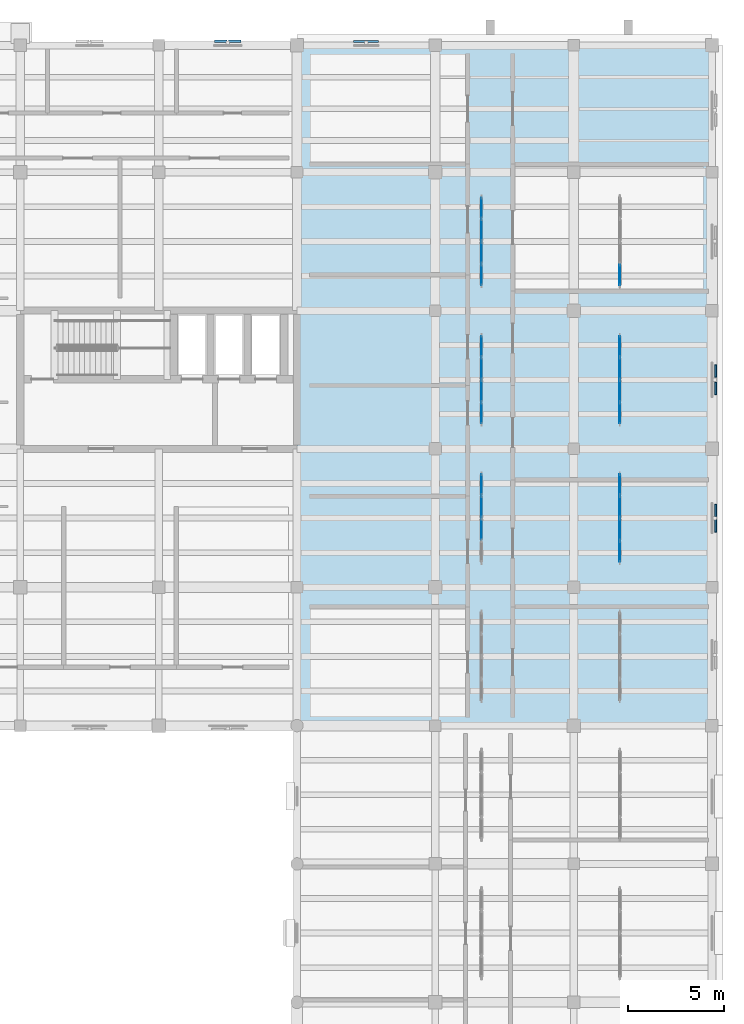
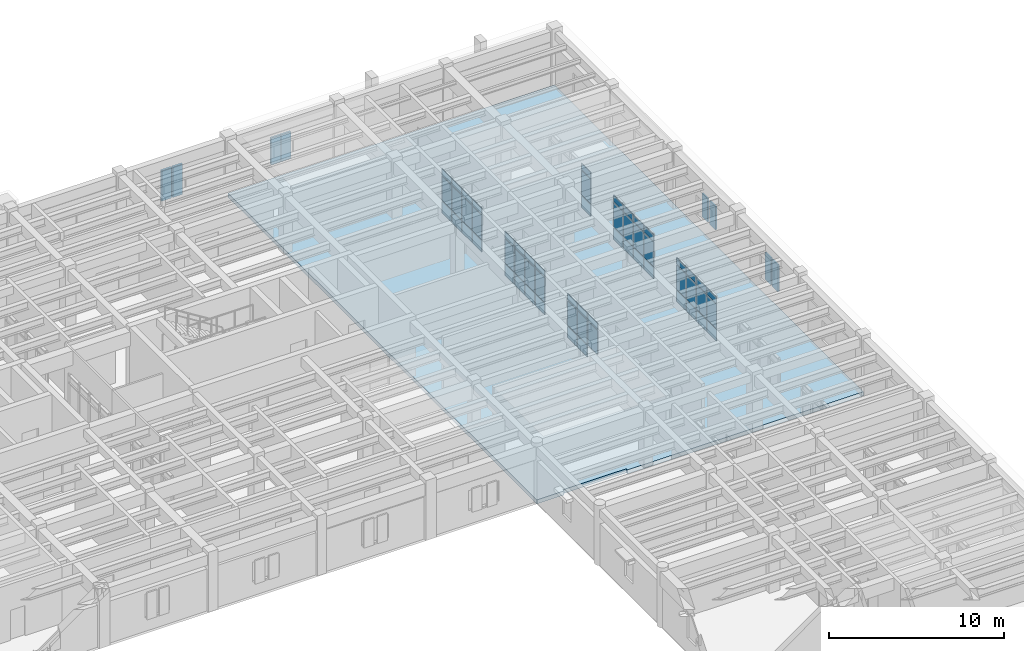
# One storey, part 33 of 66: 67 plates, 1 slab, 6 elements without a shape of their own.
"""IFC4 building model written with IfcOpenShell, lengths in metres."""

import ifcopenshell
import ifcopenshell.guid

model = None  # the IFC model being written
_history = None  # IfcOwnerHistory: only IFC2X3 demands one
_inside = {}  # id of a spatial element -> (the spatial element, [elements in it])
_under = {}  # id of a project, library or spatial element -> (it, [spatial elements below it])
_declared = {}  # id of a project -> (the project, [libraries it declares])
_typed = {}  # id of a type object -> (the type object, [elements of that type])
_made_of = {}  # id of a material, layer set ... -> (it, [elements and type objects made of it])


def new_model(schema):
    """Start an empty IFC model of exactly this schema.

    Asked for "IFC4X3", IfcOpenShell would pick the latest addendum, in which some entities
    have other attributes; the version numbers below select the first issue.
    IFC2X3 requires an IfcOwnerHistory on every rooted entity: one is made here for all.
    """
    global model, _history
    if schema == "IFC4X3":
        model = ifcopenshell.file(schema_version=(4, 3, 0, 0))
    else:
        model = ifcopenshell.file(schema=schema)
    _inside.clear()
    _under.clear()
    _declared.clear()
    _typed.clear()
    _made_of.clear()
    _history = None
    if model.schema == "IFC2X3":
        org = make("IfcOrganization", Name="unknown")
        user = make(
            "IfcPersonAndOrganization",
            ThePerson=make("IfcPerson", FamilyName="unknown"),
            TheOrganization=org,
        )
        app = make(
            "IfcApplication",
            ApplicationDeveloper=org,
            Version="unknown",
            ApplicationFullName="unknown",
            ApplicationIdentifier="unknown",
        )
        _history = make(
            "IfcOwnerHistory",
            OwningUser=user,
            OwningApplication=app,
            ChangeAction="ADDED",
            CreationDate=0,
        )
    return model


def make(cls, **values):
    """One entity of the class cls with the attributes given. An attribute that is None is left unset."""
    return model.create_entity(
        cls, **{name: value for name, value in values.items() if value is not None}
    )


def rooted(cls, **values):
    """An entity with a GlobalId (a new one), such as an element, a storey or a relation."""
    return make(cls, GlobalId=ifcopenshell.guid.new(), OwnerHistory=_history, **values)


def si_unit(unit_type, name, prefix=None):
    """IfcSIUnit, for example si_unit("LENGTHUNIT", "METRE", prefix="MILLI")."""
    return make("IfcSIUnit", UnitType=unit_type, Prefix=prefix, Name=name)


def assignment(units):
    """IfcUnitAssignment: the units of a project."""
    return None if units is None else make("IfcUnitAssignment", Units=units)


def point(xyz):
    """IfcCartesianPoint."""
    return None if xyz is None else make("IfcCartesianPoint", Coordinates=xyz)


def direction(xyz):
    """IfcDirection."""
    return None if xyz is None else make("IfcDirection", DirectionRatios=xyz)


def frame(location, z_axis=None, x_axis=None):
    """IfcAxis2Placement3D, a coordinate frame: its origin and axes. An axis left out is left unset."""
    return make(
        "IfcAxis2Placement3D",
        Location=point(location),
        Axis=direction(z_axis),
        RefDirection=direction(x_axis),
    )


def frame_2d(location, x_axis=None):
    """IfcAxis2Placement2D, a coordinate frame in the plane: its origin and x axis."""
    return make(
        "IfcAxis2Placement2D", Location=point(location), RefDirection=direction(x_axis)
    )


def origin():
    """The frame at (0, 0, 0) with its axes left unset."""
    return frame((0.0, 0.0, 0.0))


def origin_2d():
    """The frame at (0, 0) in the plane with its x axis left unset."""
    return frame_2d((0.0, 0.0))


def place(relative_to, where):
    """IfcLocalPlacement: puts the frame where relative to a parent placement (None: the world)."""
    return make(
        "IfcLocalPlacement", PlacementRelTo=relative_to, RelativePlacement=where
    )


def context(
    kind, dimensions, precision=None, world=None, true_north=None, identifier=None
):
    """IfcGeometricRepresentationContext, for example the 3D "Model" context."""
    return make(
        "IfcGeometricRepresentationContext",
        ContextIdentifier=identifier,
        ContextType=kind,
        CoordinateSpaceDimension=dimensions,
        Precision=precision,
        WorldCoordinateSystem=world,
        TrueNorth=true_north,
    )


def subcontext(parent, identifier, kind, view, scale=None):
    """IfcGeometricRepresentationSubContext, for example "Body" below "Model"."""
    return make(
        "IfcGeometricRepresentationSubContext",
        ContextIdentifier=identifier,
        ContextType=kind,
        ParentContext=parent,
        TargetScale=scale,
        TargetView=view,
    )


def project(units=None, contexts=None):
    """IfcProject with its units and contexts."""
    return rooted(
        "IfcProject",
        Name="project",
        RepresentationContexts=contexts,
        UnitsInContext=assignment(units),
    )


def spatial(cls, under=None, at=None, **own):
    """A site, building, storey or space (cls), placed at a placement, below another one or the project."""
    s = rooted(cls, ObjectPlacement=at, **own)
    if under is not None:
        _under.setdefault(under.id(), (under, []))[1].append(s)
    return s


def polyline(points):
    """IfcPolyline through the points."""
    return make("IfcPolyline", Points=[point(p) for p in points])


def profile(cls, at=None, kind="AREA", **sizes):
    """A parametric profile (cls). Its sizes go by their IFC names, for example OverallWidth=200.0."""
    return make(cls, ProfileType=kind, Position=at, **sizes)


def rectangle(**sizes):
    """IfcRectangleProfileDef."""
    return profile("IfcRectangleProfileDef", **sizes)


def outline(outer, holes=None, kind="AREA"):
    """IfcArbitraryClosedProfileDef: a profile drawn as a closed curve; with holes, ...WithVoids."""
    if holes is None:
        return make("IfcArbitraryClosedProfileDef", ProfileType=kind, OuterCurve=outer)
    return make(
        "IfcArbitraryProfileDefWithVoids",
        ProfileType=kind,
        OuterCurve=outer,
        InnerCurves=holes,
    )


def extrude(swept, where, along, depth):
    """IfcExtrudedAreaSolid: the profile swept, set in the frame where, extruded along a direction by depth."""
    return make(
        "IfcExtrudedAreaSolid",
        SweptArea=swept,
        Position=where,
        ExtrudedDirection=direction(along),
        Depth=depth,
    )


def shape(context_of_items, identifier, shape_type, items):
    """IfcShapeRepresentation: the items that make up one representation, for example the "Body"."""
    return make(
        "IfcShapeRepresentation",
        ContextOfItems=context_of_items,
        RepresentationIdentifier=identifier,
        RepresentationType=shape_type,
        Items=items,
    )


def material(Name=None, Category=None):
    """IfcMaterial."""
    return make("IfcMaterial", Name=Name, Category=Category)


def layer(
    of_material, thickness, ventilated=None, Name=None, Category=None, Priority=None
):
    """IfcMaterialLayer: one layer of a wall or slab, of a material (None: an air gap)."""
    return make(
        "IfcMaterialLayer",
        Material=of_material,
        LayerThickness=thickness,
        IsVentilated=ventilated,
        Name=Name,
        Category=Category,
        Priority=Priority,
    )


def layer_set(layers, Name=None):
    """IfcMaterialLayerSet."""
    return make("IfcMaterialLayerSet", MaterialLayers=layers, LayerSetName=Name)


def made_of(thing, what):
    """Note that an element or type object is made of a material, layer set ...; save() writes the relation."""
    if what is not None:
        _made_of.setdefault(what.id(), (what, []))[1].append(thing)
    return thing


def type_object(cls, material=None, **own):
    """A type object (cls), such as IfcWallType, which elements share."""
    return made_of(rooted(cls, **own), material)


def element(
    cls,
    number,
    at=None,
    inside=None,
    cuts=None,
    type_object=None,
    material=None,
    context=None,
    identifier="Body",
    shape_type=None,
    held_by="IfcProductDefinitionShape",
    body=None,
    shapes=None,
    **own,
):
    """One element of the class cls, such as IfcWall. Its Tag is "e" and its number.

    at: its placement. inside: the storey or other place that contains it. cuts: it is an
    opening in that element (IfcRelVoidsElement). A single representation is given by context,
    identifier, shape_type and body (its items); several are given by shapes. held_by: the class
    of the entity that holds the representations. save() writes the other relations.
    """
    e = rooted(cls, Tag="e%d" % number, ObjectPlacement=at, **own)
    if body is not None:
        shapes = [shape(context, identifier, shape_type, body)]
    if shapes is not None:
        e.Representation = make(held_by, Representations=shapes)
    if inside is not None:
        _inside.setdefault(inside.id(), (inside, []))[1].append(e)
    if cuts is not None:
        rooted(
            "IfcRelVoidsElement", RelatingBuildingElement=cuts, RelatedOpeningElement=e
        )
    if type_object is not None:
        _typed.setdefault(type_object.id(), (type_object, []))[1].append(e)
    return made_of(e, material)


def aggregate(whole, parts):
    """IfcRelAggregates: a whole, such as a stair, and the parts it consists of."""
    return rooted("IfcRelAggregates", RelatingObject=whole, RelatedObjects=parts)


def save(model, path):
    """Write the relations noted so far, then the file.

    IfcRelAggregates (storeys below a building ...), IfcRelContainedInSpatialStructure (elements
    in a storey), IfcRelDefinesByType, IfcRelAssociatesMaterial and IfcRelDeclares: one each for
    every whole, place, type object, material and project.
    """
    for whole, parts in _under.values():
        aggregate(whole, parts)
    for where, things in _inside.values():
        rooted(
            "IfcRelContainedInSpatialStructure",
            RelatedElements=things,
            RelatingStructure=where,
        )
    for kind, things in _typed.values():
        rooted("IfcRelDefinesByType", RelatedObjects=things, RelatingType=kind)
    for what, things in _made_of.values():
        rooted("IfcRelAssociatesMaterial", RelatedObjects=things, RelatingMaterial=what)
    for by, libraries in _declared.values():
        rooted("IfcRelDeclares", RelatingContext=by, RelatedDefinitions=libraries)
    model.write(path)


model = new_model("IFC4")

# Units and contexts
model_context = context("Model", 3, precision=1e-05, world=origin(), true_north=direction((0.0, 1.0)))
body_context = subcontext(model_context, "Body", "Model", "MODEL_VIEW")
ifc_project = project(units=[si_unit("LENGTHUNIT", "METRE"), si_unit("AREAUNIT", "SQUARE_METRE"), si_unit("VOLUMEUNIT", "CUBIC_METRE"), si_unit("PLANEANGLEUNIT", "RADIAN"), si_unit("MASSUNIT", "GRAM", prefix="KILO")], contexts=[model_context])

# Site, building, storey
site_placement = place(None, origin())
site = spatial("IfcSite", under=ifc_project, at=site_placement, CompositionType="ELEMENT")
building_placement = place(site_placement, origin())
building = spatial("IfcBuilding", under=site, at=building_placement, Name="Mithqara Police Headquarters", CompositionType="ELEMENT")
storey_placement = place(building_placement, frame((0.0, 0.0, 9.60009765625)))
storey = spatial("IfcBuildingStorey", under=building, at=storey_placement, Name="L02", CompositionType="ELEMENT", Elevation=9.60009765625)

# Curtain wall, plates
ifc_material_1 = material(Name="Bronze anodised aluminium 6063-T6", Category="aluminium")
curtain_wall_type = type_object("IfcCurtainWallType", Name="CURTAIN WALL 4700X3220", PredefinedType="USERDEFINED", material=ifc_material_1)
curtain_wall_1_placement = place(storey_placement, origin())
curtain_wall_1 = element("IfcCurtainWall", 1, at=curtain_wall_1_placement, inside=storey, type_object=curtain_wall_type, Name="L02 Unitised Glazing CW-16 (CW-INT-L02-X21-Y12-0)", ObjectType="UNITISED GLAZING", PredefinedType="USERDEFINED")
ifc_material_2 = material(Name="Spectrally selective double low-e glass", Category="glass")
ifc_layer_1 = layer(ifc_material_2, 0.028076171875, Name="Spectrally selective double low-e glass")
ifc_layer_set_1 = layer_set([ifc_layer_1], Name="Spectrally selective double low-e glass")
plate_type_1 = type_object("IfcPlateType", Name="CWPANEL GLASS28", PredefinedType="CURTAIN_PANEL", material=ifc_layer_set_1)
plate_1_placement = place(storey_placement, frame((154.199951171875, 88.8125, 0.9375), z_axis=(0.0, 0.0, 1.0), x_axis=(0.0, 1.0, 0.0)))
plate_1 = element("IfcPlate", 2, at=plate_1_placement, type_object=plate_type_1, Name="CW-16 panel 2.2", PredefinedType="CURTAIN_PANEL", context=body_context, shape_type="SweptSolid", body=[
    extrude(rectangle(XDim=1.10009765625, YDim=0.028076171875, at=origin_2d()), origin(), (0.0, 0.0, 1.0), 1.695068359375),
])
plate_2_placement = place(storey_placement, frame((154.199951171875, 88.8125, 2.70751953125), z_axis=(0.0, 0.0, 1.0), x_axis=(0.0, 1.0, 0.0)))
plate_2 = element("IfcPlate", 3, at=plate_2_placement, type_object=plate_type_1, Name="CW-16 panel 2.3", PredefinedType="CURTAIN_PANEL", context=body_context, shape_type="SweptSolid", body=[
    extrude(rectangle(XDim=1.10009765625, YDim=0.028076171875, at=origin_2d()), origin(), (0.0, 0.0, 1.0), 0.4375),
])
plate_3_placement = place(storey_placement, frame((154.199951171875, 89.987548828125, 0.074951171875), z_axis=(0.0, 0.0, 1.0), x_axis=(0.0, 1.0, 0.0)))
plate_3 = element("IfcPlate", 4, at=plate_3_placement, type_object=plate_type_1, Name="CW-16 panel 3.1", PredefinedType="CURTAIN_PANEL", context=body_context, shape_type="SweptSolid", body=[
    extrude(rectangle(XDim=1.10009765625, YDim=0.028076171875, at=origin_2d()), origin(), (0.0, 0.0, 1.0), 0.78759765625),
])
plate_4_placement = place(storey_placement, frame((154.199951171875, 89.987548828125, 0.9375), z_axis=(0.0, 0.0, 1.0), x_axis=(0.0, 1.0, 0.0)))
plate_4 = element("IfcPlate", 5, at=plate_4_placement, type_object=plate_type_1, Name="CW-16 panel 3.2", PredefinedType="CURTAIN_PANEL", context=body_context, shape_type="SweptSolid", body=[
    extrude(rectangle(XDim=1.10009765625, YDim=0.028076171875, at=origin_2d()), origin(), (0.0, 0.0, 1.0), 1.695068359375),
])
plate_5_placement = place(storey_placement, frame((154.199951171875, 89.987548828125, 2.70751953125), z_axis=(0.0, 0.0, 1.0), x_axis=(0.0, 1.0, 0.0)))
plate_5 = element("IfcPlate", 6, at=plate_5_placement, type_object=plate_type_1, Name="CW-16 panel 3.3", PredefinedType="CURTAIN_PANEL", context=body_context, shape_type="SweptSolid", body=[
    extrude(rectangle(XDim=1.10009765625, YDim=0.028076171875, at=origin_2d()), origin(), (0.0, 0.0, 1.0), 0.4375),
])
plate_6_placement = place(storey_placement, frame((154.199951171875, 91.143798828125, 0.074951171875), z_axis=(0.0, 0.0, 1.0), x_axis=(0.0, 1.0, 0.0)))
plate_6 = element("IfcPlate", 7, at=plate_6_placement, type_object=plate_type_1, Name="CW-16 panel 4.1", PredefinedType="CURTAIN_PANEL", context=body_context, shape_type="SweptSolid", body=[
    extrude(rectangle(XDim=1.0625, YDim=0.028076171875, at=origin_2d()), origin(), (0.0, 0.0, 1.0), 0.78759765625),
])
plate_7_placement = place(storey_placement, frame((154.199951171875, 91.143798828125, 0.9375), z_axis=(0.0, 0.0, 1.0), x_axis=(0.0, 1.0, 0.0)))
plate_7 = element("IfcPlate", 8, at=plate_7_placement, type_object=plate_type_1, Name="CW-16 panel 4.2", PredefinedType="CURTAIN_PANEL", context=body_context, shape_type="SweptSolid", body=[
    extrude(rectangle(XDim=1.0625, YDim=0.028076171875, at=origin_2d()), origin(), (0.0, 0.0, 1.0), 1.695068359375),
])
plate_8_placement = place(storey_placement, frame((154.199951171875, 91.143798828125, 2.70751953125), z_axis=(0.0, 0.0, 1.0), x_axis=(0.0, 1.0, 0.0)))
plate_8 = element("IfcPlate", 9, at=plate_8_placement, type_object=plate_type_1, Name="CW-16 panel 4.3", PredefinedType="CURTAIN_PANEL", context=body_context, shape_type="SweptSolid", body=[
    extrude(rectangle(XDim=1.0625, YDim=0.028076171875, at=origin_2d()), origin(), (0.0, 0.0, 1.0), 0.4375),
])
aggregate(curtain_wall_1, [plate_1, plate_2, plate_3, plate_4, plate_5, plate_6, plate_7, plate_8])

curtain_wall_2_placement = place(storey_placement, origin())
curtain_wall_2 = element("IfcCurtainWall", 10, at=curtain_wall_2_placement, inside=storey, type_object=curtain_wall_type, Name="L02 Unitised Glazing CW-16 (CW-INT-L02-X21-Y13-0)", ObjectType="UNITISED GLAZING", PredefinedType="USERDEFINED")
plate_9_placement = place(storey_placement, frame((154.199951171875, 94.856201171875, 0.074951171875), z_axis=(0.0, 0.0, 1.0), x_axis=(0.0, 1.0, 0.0)))
plate_9 = element("IfcPlate", 11, at=plate_9_placement, type_object=plate_type_1, Name="CW-16 panel 1.1", PredefinedType="CURTAIN_PANEL", context=body_context, shape_type="SweptSolid", body=[
    extrude(rectangle(XDim=1.0625, YDim=0.028076171875, at=origin_2d()), origin(), (0.0, 0.0, 1.0), 0.78759765625),
])
plate_10_placement = place(storey_placement, frame((154.199951171875, 94.856201171875, 0.9375), z_axis=(0.0, 0.0, 1.0), x_axis=(0.0, 1.0, 0.0)))
plate_10 = element("IfcPlate", 12, at=plate_10_placement, type_object=plate_type_1, Name="CW-16 panel 1.2", PredefinedType="CURTAIN_PANEL", context=body_context, shape_type="SweptSolid", body=[
    extrude(rectangle(XDim=1.0625, YDim=0.028076171875, at=origin_2d()), origin(), (0.0, 0.0, 1.0), 1.695068359375),
])
plate_11_placement = place(storey_placement, frame((154.199951171875, 94.856201171875, 2.70751953125), z_axis=(0.0, 0.0, 1.0), x_axis=(0.0, 1.0, 0.0)))
plate_11 = element("IfcPlate", 13, at=plate_11_placement, type_object=plate_type_1, Name="CW-16 panel 1.3", PredefinedType="CURTAIN_PANEL", context=body_context, shape_type="SweptSolid", body=[
    extrude(rectangle(XDim=1.0625, YDim=0.028076171875, at=origin_2d()), origin(), (0.0, 0.0, 1.0), 0.4375),
])
plate_12_placement = place(storey_placement, frame((154.199951171875, 96.012451171875, 0.074951171875), z_axis=(0.0, 0.0, 1.0), x_axis=(0.0, 1.0, 0.0)))
plate_12 = element("IfcPlate", 14, at=plate_12_placement, type_object=plate_type_1, Name="CW-16 panel 2.1", PredefinedType="CURTAIN_PANEL", context=body_context, shape_type="SweptSolid", body=[
    extrude(rectangle(XDim=1.10009765625, YDim=0.028076171875, at=origin_2d()), origin(), (0.0, 0.0, 1.0), 0.78759765625),
])
plate_13_placement = place(storey_placement, frame((154.199951171875, 96.012451171875, 0.9375), z_axis=(0.0, 0.0, 1.0), x_axis=(0.0, 1.0, 0.0)))
plate_13 = element("IfcPlate", 15, at=plate_13_placement, type_object=plate_type_1, Name="CW-16 panel 2.2", PredefinedType="CURTAIN_PANEL", context=body_context, shape_type="SweptSolid", body=[
    extrude(rectangle(XDim=1.10009765625, YDim=0.028076171875, at=origin_2d()), origin(), (0.0, 0.0, 1.0), 1.695068359375),
])
plate_14_placement = place(storey_placement, frame((154.199951171875, 96.012451171875, 2.70751953125), z_axis=(0.0, 0.0, 1.0), x_axis=(0.0, 1.0, 0.0)))
plate_14 = element("IfcPlate", 16, at=plate_14_placement, type_object=plate_type_1, Name="CW-16 panel 2.3", PredefinedType="CURTAIN_PANEL", context=body_context, shape_type="SweptSolid", body=[
    extrude(rectangle(XDim=1.10009765625, YDim=0.028076171875, at=origin_2d()), origin(), (0.0, 0.0, 1.0), 0.4375),
])
plate_15_placement = place(storey_placement, frame((154.199951171875, 97.1875, 0.074951171875), z_axis=(0.0, 0.0, 1.0), x_axis=(0.0, 1.0, 0.0)))
plate_15 = element("IfcPlate", 17, at=plate_15_placement, type_object=plate_type_1, Name="CW-16 panel 3.1", PredefinedType="CURTAIN_PANEL", context=body_context, shape_type="SweptSolid", body=[
    extrude(rectangle(XDim=1.10009765625, YDim=0.028076171875, at=origin_2d()), origin(), (0.0, 0.0, 1.0), 0.78759765625),
])
plate_16_placement = place(storey_placement, frame((154.199951171875, 97.1875, 0.9375), z_axis=(0.0, 0.0, 1.0), x_axis=(0.0, 1.0, 0.0)))
plate_16 = element("IfcPlate", 18, at=plate_16_placement, type_object=plate_type_1, Name="CW-16 panel 3.2", PredefinedType="CURTAIN_PANEL", context=body_context, shape_type="SweptSolid", body=[
    extrude(rectangle(XDim=1.10009765625, YDim=0.028076171875, at=origin_2d()), origin(), (0.0, 0.0, 1.0), 1.695068359375),
])
plate_17_placement = place(storey_placement, frame((154.199951171875, 97.1875, 2.70751953125), z_axis=(0.0, 0.0, 1.0), x_axis=(0.0, 1.0, 0.0)))
plate_17 = element("IfcPlate", 19, at=plate_17_placement, type_object=plate_type_1, Name="CW-16 panel 3.3", PredefinedType="CURTAIN_PANEL", context=body_context, shape_type="SweptSolid", body=[
    extrude(rectangle(XDim=1.10009765625, YDim=0.028076171875, at=origin_2d()), origin(), (0.0, 0.0, 1.0), 0.4375),
])
plate_18_placement = place(storey_placement, frame((154.199951171875, 98.34375, 0.074951171875), z_axis=(0.0, 0.0, 1.0), x_axis=(0.0, 1.0, 0.0)))
plate_18 = element("IfcPlate", 20, at=plate_18_placement, type_object=plate_type_1, Name="CW-16 panel 4.1", PredefinedType="CURTAIN_PANEL", context=body_context, shape_type="SweptSolid", body=[
    extrude(rectangle(XDim=1.0625, YDim=0.028076171875, at=origin_2d()), origin(), (0.0, 0.0, 1.0), 0.78759765625),
])
plate_19_placement = place(storey_placement, frame((154.199951171875, 98.34375, 0.9375), z_axis=(0.0, 0.0, 1.0), x_axis=(0.0, 1.0, 0.0)))
plate_19 = element("IfcPlate", 21, at=plate_19_placement, type_object=plate_type_1, Name="CW-16 panel 4.2", PredefinedType="CURTAIN_PANEL", context=body_context, shape_type="SweptSolid", body=[
    extrude(rectangle(XDim=1.0625, YDim=0.028076171875, at=origin_2d()), origin(), (0.0, 0.0, 1.0), 1.695068359375),
])
plate_20_placement = place(storey_placement, frame((154.199951171875, 98.34375, 2.70751953125), z_axis=(0.0, 0.0, 1.0), x_axis=(0.0, 1.0, 0.0)))
plate_20 = element("IfcPlate", 22, at=plate_20_placement, type_object=plate_type_1, Name="CW-16 panel 4.3", PredefinedType="CURTAIN_PANEL", context=body_context, shape_type="SweptSolid", body=[
    extrude(rectangle(XDim=1.0625, YDim=0.028076171875, at=origin_2d()), origin(), (0.0, 0.0, 1.0), 0.4375),
])
aggregate(curtain_wall_2, [plate_9, plate_10, plate_11, plate_12, plate_13, plate_14, plate_15, plate_16, plate_17, plate_18, plate_19, plate_20])

curtain_wall_3_placement = place(storey_placement, origin())
curtain_wall_3 = element("IfcCurtainWall", 23, at=curtain_wall_3_placement, inside=storey, type_object=curtain_wall_type, Name="L02 Unitised Glazing CW-16 (CW-INT-L02-X21-Y14-0)", ObjectType="UNITISED GLAZING", PredefinedType="USERDEFINED")
plate_21_placement = place(storey_placement, frame((154.199951171875, 102.05615234375, 0.074951171875), z_axis=(0.0, 0.0, 1.0), x_axis=(0.0, 1.0, 0.0)))
plate_21 = element("IfcPlate", 24, at=plate_21_placement, type_object=plate_type_1, Name="CW-16 panel 1.1", PredefinedType="CURTAIN_PANEL", context=body_context, shape_type="SweptSolid", body=[
    extrude(rectangle(XDim=1.0625, YDim=0.028076171875, at=origin_2d()), origin(), (0.0, 0.0, 1.0), 0.78759765625),
])
plate_22_placement = place(storey_placement, frame((154.199951171875, 102.05615234375, 0.9375), z_axis=(0.0, 0.0, 1.0), x_axis=(0.0, 1.0, 0.0)))
plate_22 = element("IfcPlate", 25, at=plate_22_placement, type_object=plate_type_1, Name="CW-16 panel 1.2", PredefinedType="CURTAIN_PANEL", context=body_context, shape_type="SweptSolid", body=[
    extrude(rectangle(XDim=1.0625, YDim=0.028076171875, at=origin_2d()), origin(), (0.0, 0.0, 1.0), 1.695068359375),
])
plate_23_placement = place(storey_placement, frame((154.199951171875, 102.05615234375, 2.70751953125), z_axis=(0.0, 0.0, 1.0), x_axis=(0.0, 1.0, 0.0)))
plate_23 = element("IfcPlate", 26, at=plate_23_placement, type_object=plate_type_1, Name="CW-16 panel 1.3", PredefinedType="CURTAIN_PANEL", context=body_context, shape_type="SweptSolid", body=[
    extrude(rectangle(XDim=1.0625, YDim=0.028076171875, at=origin_2d()), origin(), (0.0, 0.0, 1.0), 0.4375),
])
plate_24_placement = place(storey_placement, frame((154.199951171875, 103.21240234375, 0.074951171875), z_axis=(0.0, 0.0, 1.0), x_axis=(0.0, 1.0, 0.0)))
plate_24 = element("IfcPlate", 27, at=plate_24_placement, type_object=plate_type_1, Name="CW-16 panel 2.1", PredefinedType="CURTAIN_PANEL", context=body_context, shape_type="SweptSolid", body=[
    extrude(rectangle(XDim=1.10009765625, YDim=0.028076171875, at=origin_2d()), origin(), (0.0, 0.0, 1.0), 0.78759765625),
])
plate_25_placement = place(storey_placement, frame((154.199951171875, 103.21240234375, 0.9375), z_axis=(0.0, 0.0, 1.0), x_axis=(0.0, 1.0, 0.0)))
plate_25 = element("IfcPlate", 28, at=plate_25_placement, type_object=plate_type_1, Name="CW-16 panel 2.2", PredefinedType="CURTAIN_PANEL", context=body_context, shape_type="SweptSolid", body=[
    extrude(rectangle(XDim=1.10009765625, YDim=0.028076171875, at=origin_2d()), origin(), (0.0, 0.0, 1.0), 1.695068359375),
])
plate_26_placement = place(storey_placement, frame((154.199951171875, 103.21240234375, 2.70751953125), z_axis=(0.0, 0.0, 1.0), x_axis=(0.0, 1.0, 0.0)))
plate_26 = element("IfcPlate", 29, at=plate_26_placement, type_object=plate_type_1, Name="CW-16 panel 2.3", PredefinedType="CURTAIN_PANEL", context=body_context, shape_type="SweptSolid", body=[
    extrude(rectangle(XDim=1.10009765625, YDim=0.028076171875, at=origin_2d()), origin(), (0.0, 0.0, 1.0), 0.4375),
])
plate_27_placement = place(storey_placement, frame((154.199951171875, 104.387451171875, 0.074951171875), z_axis=(0.0, 0.0, 1.0), x_axis=(0.0, 1.0, 0.0)))
plate_27 = element("IfcPlate", 30, at=plate_27_placement, type_object=plate_type_1, Name="CW-16 panel 3.1", PredefinedType="CURTAIN_PANEL", context=body_context, shape_type="SweptSolid", body=[
    extrude(rectangle(XDim=1.10009765625, YDim=0.028076171875, at=origin_2d()), origin(), (0.0, 0.0, 1.0), 0.78759765625),
])
plate_28_placement = place(storey_placement, frame((154.199951171875, 104.387451171875, 0.9375), z_axis=(0.0, 0.0, 1.0), x_axis=(0.0, 1.0, 0.0)))
plate_28 = element("IfcPlate", 31, at=plate_28_placement, type_object=plate_type_1, Name="CW-16 panel 3.2", PredefinedType="CURTAIN_PANEL", context=body_context, shape_type="SweptSolid", body=[
    extrude(rectangle(XDim=1.10009765625, YDim=0.028076171875, at=origin_2d()), origin(), (0.0, 0.0, 1.0), 1.695068359375),
])
plate_29_placement = place(storey_placement, frame((154.199951171875, 104.387451171875, 2.70751953125), z_axis=(0.0, 0.0, 1.0), x_axis=(0.0, 1.0, 0.0)))
plate_29 = element("IfcPlate", 32, at=plate_29_placement, type_object=plate_type_1, Name="CW-16 panel 3.3", PredefinedType="CURTAIN_PANEL", context=body_context, shape_type="SweptSolid", body=[
    extrude(rectangle(XDim=1.10009765625, YDim=0.028076171875, at=origin_2d()), origin(), (0.0, 0.0, 1.0), 0.4375),
])
plate_30_placement = place(storey_placement, frame((154.199951171875, 105.543701171875, 0.074951171875), z_axis=(0.0, 0.0, 1.0), x_axis=(0.0, 1.0, 0.0)))
plate_30 = element("IfcPlate", 33, at=plate_30_placement, type_object=plate_type_1, Name="CW-16 panel 4.1", PredefinedType="CURTAIN_PANEL", context=body_context, shape_type="SweptSolid", body=[
    extrude(rectangle(XDim=1.0625, YDim=0.028076171875, at=origin_2d()), origin(), (0.0, 0.0, 1.0), 0.78759765625),
])
plate_31_placement = place(storey_placement, frame((154.199951171875, 105.543701171875, 0.9375), z_axis=(0.0, 0.0, 1.0), x_axis=(0.0, 1.0, 0.0)))
plate_31 = element("IfcPlate", 34, at=plate_31_placement, type_object=plate_type_1, Name="CW-16 panel 4.2", PredefinedType="CURTAIN_PANEL", context=body_context, shape_type="SweptSolid", body=[
    extrude(rectangle(XDim=1.0625, YDim=0.028076171875, at=origin_2d()), origin(), (0.0, 0.0, 1.0), 1.695068359375),
])
plate_32_placement = place(storey_placement, frame((154.199951171875, 105.543701171875, 2.70751953125), z_axis=(0.0, 0.0, 1.0), x_axis=(0.0, 1.0, 0.0)))
plate_32 = element("IfcPlate", 35, at=plate_32_placement, type_object=plate_type_1, Name="CW-16 panel 4.3", PredefinedType="CURTAIN_PANEL", context=body_context, shape_type="SweptSolid", body=[
    extrude(rectangle(XDim=1.0625, YDim=0.028076171875, at=origin_2d()), origin(), (0.0, 0.0, 1.0), 0.4375),
])
aggregate(curtain_wall_3, [plate_21, plate_22, plate_23, plate_24, plate_25, plate_26, plate_27, plate_28, plate_29, plate_30, plate_31, plate_32])

curtain_wall_4_placement = place(storey_placement, origin())
curtain_wall_4 = element("IfcCurtainWall", 36, at=curtain_wall_4_placement, inside=storey, type_object=curtain_wall_type, Name="L02 Unitised Glazing CW-16 (CW-INT-L02-X22-Y12-0)", ObjectType="UNITISED GLAZING", PredefinedType="USERDEFINED")
plate_33_placement = place(storey_placement, frame((161.39990234375, 87.65625, 0.074951171875), z_axis=(0.0, 0.0, 1.0), x_axis=(0.0, 1.0, 0.0)))
plate_33 = element("IfcPlate", 37, at=plate_33_placement, type_object=plate_type_1, Name="CW-16 panel 1.1", PredefinedType="CURTAIN_PANEL", context=body_context, shape_type="SweptSolid", body=[
    extrude(rectangle(XDim=1.0625, YDim=0.028076171875, at=origin_2d()), origin(), (0.0, 0.0, 1.0), 0.78759765625),
])
plate_34_placement = place(storey_placement, frame((161.39990234375, 87.65625, 0.9375), z_axis=(0.0, 0.0, 1.0), x_axis=(0.0, 1.0, 0.0)))
plate_34 = element("IfcPlate", 38, at=plate_34_placement, type_object=plate_type_1, Name="CW-16 panel 1.2", PredefinedType="CURTAIN_PANEL", context=body_context, shape_type="SweptSolid", body=[
    extrude(rectangle(XDim=1.0625, YDim=0.028076171875, at=origin_2d()), origin(), (0.0, 0.0, 1.0), 1.695068359375),
])
plate_35_placement = place(storey_placement, frame((161.39990234375, 87.65625, 2.70751953125), z_axis=(0.0, 0.0, 1.0), x_axis=(0.0, 1.0, 0.0)))
plate_35 = element("IfcPlate", 39, at=plate_35_placement, type_object=plate_type_1, Name="CW-16 panel 1.3", PredefinedType="CURTAIN_PANEL", context=body_context, shape_type="SweptSolid", body=[
    extrude(rectangle(XDim=1.0625, YDim=0.028076171875, at=origin_2d()), origin(), (0.0, 0.0, 1.0), 0.4375),
])
plate_36_placement = place(storey_placement, frame((161.39990234375, 88.8125, 0.074951171875), z_axis=(0.0, 0.0, 1.0), x_axis=(0.0, 1.0, 0.0)))
plate_36 = element("IfcPlate", 40, at=plate_36_placement, type_object=plate_type_1, Name="CW-16 panel 2.1", PredefinedType="CURTAIN_PANEL", context=body_context, shape_type="SweptSolid", body=[
    extrude(rectangle(XDim=1.10009765625, YDim=0.028076171875, at=origin_2d()), origin(), (0.0, 0.0, 1.0), 0.78759765625),
])
plate_37_placement = place(storey_placement, frame((161.39990234375, 88.8125, 0.9375), z_axis=(0.0, 0.0, 1.0), x_axis=(0.0, 1.0, 0.0)))
plate_37 = element("IfcPlate", 41, at=plate_37_placement, type_object=plate_type_1, Name="CW-16 panel 2.2", PredefinedType="CURTAIN_PANEL", context=body_context, shape_type="SweptSolid", body=[
    extrude(rectangle(XDim=1.10009765625, YDim=0.028076171875, at=origin_2d()), origin(), (0.0, 0.0, 1.0), 1.695068359375),
])
plate_38_placement = place(storey_placement, frame((161.39990234375, 88.8125, 2.70751953125), z_axis=(0.0, 0.0, 1.0), x_axis=(0.0, 1.0, 0.0)))
plate_38 = element("IfcPlate", 42, at=plate_38_placement, type_object=plate_type_1, Name="CW-16 panel 2.3", PredefinedType="CURTAIN_PANEL", context=body_context, shape_type="SweptSolid", body=[
    extrude(rectangle(XDim=1.10009765625, YDim=0.028076171875, at=origin_2d()), origin(), (0.0, 0.0, 1.0), 0.4375),
])
plate_39_placement = place(storey_placement, frame((161.39990234375, 89.987548828125, 0.074951171875), z_axis=(0.0, 0.0, 1.0), x_axis=(0.0, 1.0, 0.0)))
plate_39 = element("IfcPlate", 43, at=plate_39_placement, type_object=plate_type_1, Name="CW-16 panel 3.1", PredefinedType="CURTAIN_PANEL", context=body_context, shape_type="SweptSolid", body=[
    extrude(rectangle(XDim=1.10009765625, YDim=0.028076171875, at=origin_2d()), origin(), (0.0, 0.0, 1.0), 0.78759765625),
])
plate_40_placement = place(storey_placement, frame((161.39990234375, 89.987548828125, 0.9375), z_axis=(0.0, 0.0, 1.0), x_axis=(0.0, 1.0, 0.0)))
plate_40 = element("IfcPlate", 44, at=plate_40_placement, type_object=plate_type_1, Name="CW-16 panel 3.2", PredefinedType="CURTAIN_PANEL", context=body_context, shape_type="SweptSolid", body=[
    extrude(rectangle(XDim=1.10009765625, YDim=0.028076171875, at=origin_2d()), origin(), (0.0, 0.0, 1.0), 1.695068359375),
])
plate_41_placement = place(storey_placement, frame((161.39990234375, 89.987548828125, 2.70751953125), z_axis=(0.0, 0.0, 1.0), x_axis=(0.0, 1.0, 0.0)))
plate_41 = element("IfcPlate", 45, at=plate_41_placement, type_object=plate_type_1, Name="CW-16 panel 3.3", PredefinedType="CURTAIN_PANEL", context=body_context, shape_type="SweptSolid", body=[
    extrude(rectangle(XDim=1.10009765625, YDim=0.028076171875, at=origin_2d()), origin(), (0.0, 0.0, 1.0), 0.4375),
])
plate_42_placement = place(storey_placement, frame((161.39990234375, 91.143798828125, 0.074951171875), z_axis=(0.0, 0.0, 1.0), x_axis=(0.0, 1.0, 0.0)))
plate_42 = element("IfcPlate", 46, at=plate_42_placement, type_object=plate_type_1, Name="CW-16 panel 4.1", PredefinedType="CURTAIN_PANEL", context=body_context, shape_type="SweptSolid", body=[
    extrude(rectangle(XDim=1.0625, YDim=0.028076171875, at=origin_2d()), origin(), (0.0, 0.0, 1.0), 0.78759765625),
])
plate_43_placement = place(storey_placement, frame((161.39990234375, 91.143798828125, 0.9375), z_axis=(0.0, 0.0, 1.0), x_axis=(0.0, 1.0, 0.0)))
plate_43 = element("IfcPlate", 47, at=plate_43_placement, type_object=plate_type_1, Name="CW-16 panel 4.2", PredefinedType="CURTAIN_PANEL", context=body_context, shape_type="SweptSolid", body=[
    extrude(rectangle(XDim=1.0625, YDim=0.028076171875, at=origin_2d()), origin(), (0.0, 0.0, 1.0), 1.695068359375),
])
plate_44_placement = place(storey_placement, frame((161.39990234375, 91.143798828125, 2.70751953125), z_axis=(0.0, 0.0, 1.0), x_axis=(0.0, 1.0, 0.0)))
plate_44 = element("IfcPlate", 48, at=plate_44_placement, type_object=plate_type_1, Name="CW-16 panel 4.3", PredefinedType="CURTAIN_PANEL", context=body_context, shape_type="SweptSolid", body=[
    extrude(rectangle(XDim=1.0625, YDim=0.028076171875, at=origin_2d()), origin(), (0.0, 0.0, 1.0), 0.4375),
])
aggregate(curtain_wall_4, [plate_33, plate_34, plate_35, plate_36, plate_37, plate_38, plate_39, plate_40, plate_41, plate_42, plate_43, plate_44])

curtain_wall_5_placement = place(storey_placement, origin())
curtain_wall_5 = element("IfcCurtainWall", 49, at=curtain_wall_5_placement, inside=storey, type_object=curtain_wall_type, Name="L02 Unitised Glazing CW-16 (CW-INT-L02-X22-Y14-0)", ObjectType="UNITISED GLAZING", PredefinedType="USERDEFINED")
plate_45_placement = place(storey_placement, frame((161.39990234375, 102.05615234375, 0.074951171875), z_axis=(0.0, 0.0, 1.0), x_axis=(0.0, 1.0, 0.0)))
plate_45 = element("IfcPlate", 50, at=plate_45_placement, type_object=plate_type_1, Name="CW-16 panel 1.1", PredefinedType="CURTAIN_PANEL", context=body_context, shape_type="SweptSolid", body=[
    extrude(rectangle(XDim=1.0625, YDim=0.028076171875, at=origin_2d()), origin(), (0.0, 0.0, 1.0), 0.78759765625),
])
plate_46_placement = place(storey_placement, frame((161.39990234375, 102.05615234375, 0.9375), z_axis=(0.0, 0.0, 1.0), x_axis=(0.0, 1.0, 0.0)))
plate_46 = element("IfcPlate", 51, at=plate_46_placement, type_object=plate_type_1, Name="CW-16 panel 1.2", PredefinedType="CURTAIN_PANEL", context=body_context, shape_type="SweptSolid", body=[
    extrude(rectangle(XDim=1.0625, YDim=0.028076171875, at=origin_2d()), origin(), (0.0, 0.0, 1.0), 1.695068359375),
])
plate_47_placement = place(storey_placement, frame((161.39990234375, 102.05615234375, 2.70751953125), z_axis=(0.0, 0.0, 1.0), x_axis=(0.0, 1.0, 0.0)))
plate_47 = element("IfcPlate", 52, at=plate_47_placement, type_object=plate_type_1, Name="CW-16 panel 1.3", PredefinedType="CURTAIN_PANEL", context=body_context, shape_type="SweptSolid", body=[
    extrude(rectangle(XDim=1.0625, YDim=0.028076171875, at=origin_2d()), origin(), (0.0, 0.0, 1.0), 0.4375),
])
aggregate(curtain_wall_5, [plate_45, plate_46, plate_47])

curtain_wall_6_placement = place(storey_placement, origin())
curtain_wall_6 = element("IfcCurtainWall", 53, at=curtain_wall_6_placement, inside=storey, type_object=curtain_wall_type, Name="L02 Unitised Glazing CW-16 (CW-INT-L02-X22-Y13-0)", ObjectType="UNITISED GLAZING", PredefinedType="USERDEFINED")
ifc_material_3 = material(Name="Insulated bronze aluminium spandrel panel", Category="aluminium")
ifc_layer_2 = layer(ifc_material_3, 0.048095703125, Name="Insulated bronze aluminium spandrel panel")
ifc_layer_set_2 = layer_set([ifc_layer_2], Name="Insulated bronze aluminium spandrel panel")
plate_type_2 = type_object("IfcPlateType", Name="CWPANEL SPANDREL48", PredefinedType="CURTAIN_PANEL", material=ifc_layer_set_2)
plate_48_placement = place(storey_placement, frame((161.39990234375, 94.856201171875, 0.074951171875), z_axis=(0.0, 0.0, 1.0), x_axis=(0.0, 1.0, 0.0)))
plate_48 = element("IfcPlate", 54, at=plate_48_placement, type_object=plate_type_2, Name="CW-16 panel 1.1", PredefinedType="CURTAIN_PANEL", context=body_context, shape_type="SweptSolid", body=[
    extrude(rectangle(XDim=1.0625, YDim=0.048095703125, at=origin_2d()), origin(), (0.0, 0.0, 1.0), 0.78759765625),
])
plate_49_placement = place(storey_placement, frame((161.39990234375, 94.856201171875, 0.9375), z_axis=(0.0, 0.0, 1.0), x_axis=(0.0, 1.0, 0.0)))
plate_49 = element("IfcPlate", 55, at=plate_49_placement, type_object=plate_type_2, Name="CW-16 panel 1.2", PredefinedType="CURTAIN_PANEL", context=body_context, shape_type="SweptSolid", body=[
    extrude(rectangle(XDim=1.0625, YDim=0.048095703125, at=origin_2d()), origin(), (0.0, 0.0, 1.0), 1.695068359375),
])
plate_50_placement = place(storey_placement, frame((161.39990234375, 94.856201171875, 2.70751953125), z_axis=(0.0, 0.0, 1.0), x_axis=(0.0, 1.0, 0.0)))
plate_50 = element("IfcPlate", 56, at=plate_50_placement, type_object=plate_type_2, Name="CW-16 panel 1.3", PredefinedType="CURTAIN_PANEL", context=body_context, shape_type="SweptSolid", body=[
    extrude(rectangle(XDim=1.0625, YDim=0.048095703125, at=origin_2d()), origin(), (0.0, 0.0, 1.0), 0.4375),
])
plate_51_placement = place(storey_placement, frame((161.39990234375, 96.012451171875, 0.074951171875), z_axis=(0.0, 0.0, 1.0), x_axis=(0.0, 1.0, 0.0)))
plate_51 = element("IfcPlate", 57, at=plate_51_placement, type_object=plate_type_2, Name="CW-16 panel 2.1", PredefinedType="CURTAIN_PANEL", context=body_context, shape_type="SweptSolid", body=[
    extrude(rectangle(XDim=1.10009765625, YDim=0.048095703125, at=origin_2d()), origin(), (0.0, 0.0, 1.0), 0.78759765625),
])
plate_52_placement = place(storey_placement, frame((161.39990234375, 96.012451171875, 0.9375), z_axis=(0.0, 0.0, 1.0), x_axis=(0.0, 1.0, 0.0)))
plate_52 = element("IfcPlate", 58, at=plate_52_placement, type_object=plate_type_2, Name="CW-16 panel 2.2", PredefinedType="CURTAIN_PANEL", context=body_context, shape_type="SweptSolid", body=[
    extrude(rectangle(XDim=1.10009765625, YDim=0.048095703125, at=origin_2d()), origin(), (0.0, 0.0, 1.0), 1.695068359375),
])
plate_53_placement = place(storey_placement, frame((161.39990234375, 96.012451171875, 2.70751953125), z_axis=(0.0, 0.0, 1.0), x_axis=(0.0, 1.0, 0.0)))
plate_53 = element("IfcPlate", 59, at=plate_53_placement, type_object=plate_type_2, Name="CW-16 panel 2.3", PredefinedType="CURTAIN_PANEL", context=body_context, shape_type="SweptSolid", body=[
    extrude(rectangle(XDim=1.10009765625, YDim=0.048095703125, at=origin_2d()), origin(), (0.0, 0.0, 1.0), 0.4375),
])
plate_54_placement = place(storey_placement, frame((161.39990234375, 97.1875, 0.074951171875), z_axis=(0.0, 0.0, 1.0), x_axis=(0.0, 1.0, 0.0)))
plate_54 = element("IfcPlate", 60, at=plate_54_placement, type_object=plate_type_2, Name="CW-16 panel 3.1", PredefinedType="CURTAIN_PANEL", context=body_context, shape_type="SweptSolid", body=[
    extrude(rectangle(XDim=1.10009765625, YDim=0.048095703125, at=origin_2d()), origin(), (0.0, 0.0, 1.0), 0.78759765625),
])
plate_55_placement = place(storey_placement, frame((161.39990234375, 97.1875, 0.9375), z_axis=(0.0, 0.0, 1.0), x_axis=(0.0, 1.0, 0.0)))
plate_55 = element("IfcPlate", 61, at=plate_55_placement, type_object=plate_type_2, Name="CW-16 panel 3.2", PredefinedType="CURTAIN_PANEL", context=body_context, shape_type="SweptSolid", body=[
    extrude(rectangle(XDim=1.10009765625, YDim=0.048095703125, at=origin_2d()), origin(), (0.0, 0.0, 1.0), 1.695068359375),
])
plate_56_placement = place(storey_placement, frame((161.39990234375, 97.1875, 2.70751953125), z_axis=(0.0, 0.0, 1.0), x_axis=(0.0, 1.0, 0.0)))
plate_56 = element("IfcPlate", 62, at=plate_56_placement, type_object=plate_type_2, Name="CW-16 panel 3.3", PredefinedType="CURTAIN_PANEL", context=body_context, shape_type="SweptSolid", body=[
    extrude(rectangle(XDim=1.10009765625, YDim=0.048095703125, at=origin_2d()), origin(), (0.0, 0.0, 1.0), 0.4375),
])
plate_57_placement = place(storey_placement, frame((161.39990234375, 98.34375, 0.074951171875), z_axis=(0.0, 0.0, 1.0), x_axis=(0.0, 1.0, 0.0)))
plate_57 = element("IfcPlate", 63, at=plate_57_placement, type_object=plate_type_2, Name="CW-16 panel 4.1", PredefinedType="CURTAIN_PANEL", context=body_context, shape_type="SweptSolid", body=[
    extrude(rectangle(XDim=1.0625, YDim=0.048095703125, at=origin_2d()), origin(), (0.0, 0.0, 1.0), 0.78759765625),
])
plate_58_placement = place(storey_placement, frame((161.39990234375, 98.34375, 0.9375), z_axis=(0.0, 0.0, 1.0), x_axis=(0.0, 1.0, 0.0)))
plate_58 = element("IfcPlate", 64, at=plate_58_placement, type_object=plate_type_2, Name="CW-16 panel 4.2", PredefinedType="CURTAIN_PANEL", context=body_context, shape_type="SweptSolid", body=[
    extrude(rectangle(XDim=1.0625, YDim=0.048095703125, at=origin_2d()), origin(), (0.0, 0.0, 1.0), 1.695068359375),
])
plate_59_placement = place(storey_placement, frame((161.39990234375, 98.34375, 2.70751953125), z_axis=(0.0, 0.0, 1.0), x_axis=(0.0, 1.0, 0.0)))
plate_59 = element("IfcPlate", 65, at=plate_59_placement, type_object=plate_type_2, Name="CW-16 panel 4.3", PredefinedType="CURTAIN_PANEL", context=body_context, shape_type="SweptSolid", body=[
    extrude(rectangle(XDim=1.0625, YDim=0.048095703125, at=origin_2d()), origin(), (0.0, 0.0, 1.0), 0.4375),
])
aggregate(curtain_wall_6, [plate_48, plate_49, plate_50, plate_51, plate_52, plate_53, plate_54, plate_55, plate_56, plate_57, plate_58, plate_59])

# Slab
ifc_material_4 = material(Name="Concrete C40/50", Category="concrete")
ifc_layer_3 = layer(ifc_material_4, 0.280029296875, Name="Concrete C40/50")
ifc_layer_set_3 = layer_set([ifc_layer_3], Name="Concrete C40/50")
slab_type = type_object("IfcSlabType", Name="FLOOR SLAB 280", PredefinedType="FLOOR", material=ifc_layer_set_3)
slab_placement = place(storey_placement, frame((0.0, 0.0, -0.280029296875)))
element("IfcSlab", 66, at=slab_placement, inside=storey, type_object=slab_type, Name="L02 Structural Slab L02-V1B", PredefinedType="FLOOR", context=body_context, shape_type="SweptSolid", body=[
    extrude(outline(polyline([(166.199951171875, 78.60009765625), (150.60009765625, 78.60009765625), (150.60009765625, 78.739990234375), (146.39990234375, 78.739990234375), (146.39990234375, 78.60009765625), (144.60009765625, 78.60009765625), (144.60009765625, 114.0), (166.199951171875, 114.0), (166.199951171875, 78.60009765625)])), origin(), (0.0, 0.0, 1.0), 0.280029296875),
])

# Plates
ifc_material_5 = material(Name="Limestone ashlar masonry, 45 MPa", Category="masonry")
ifc_layer_4 = layer(ifc_material_5, 0.10009765625, Name="Limestone ashlar masonry, 45 MPa")
ifc_layer_set_4 = layer_set([ifc_layer_4], Name="Limestone ashlar masonry, 45 MPa")
plate_type_3 = type_object("IfcPlateType", Name="STONE SCREEN 100", PredefinedType="USERDEFINED", material=ifc_layer_set_4)
for number, where, z_axis, x_axis, name in (
    (67, (166.39990234375, 89.0, 0.830078125), (0.0, 0.0, 1.0), (0.0, 1.0, 0.0), "L02 Pierced Limestone Vertical-Slit Panel 77"),
    (68, (166.39990234375, 89.800048828125, 0.830078125), (0.0, 0.0, 1.0), (0.0, 1.0, 0.0), "L02 Pierced Limestone Vertical-Slit Panel 78"),
):
    element("IfcPlate", number, at=place(storey_placement, frame(where, z_axis=z_axis, x_axis=x_axis)), inside=storey, type_object=plate_type_3, Name=name, ObjectType="STONE SCREEN", PredefinedType="USERDEFINED", context=body_context, shape_type="SweptSolid", body=[
        extrude(rectangle(XDim=0.656005859375, YDim=0.10009765625, at=origin_2d()), origin(), (0.0, 0.0, 1.0), 1.889892578125),
    ])
for number, where, z_axis, x_axis, name in (
    (69, (166.39990234375, 96.14990234375, 0.830078125), (0.0, 0.0, 1.0), (0.0, 1.0, 0.0), "L02 Pierced Limestone Vertical-Slit Panel 79"),
    (70, (166.39990234375, 97.050048828125, 0.830078125), (0.0, 0.0, 1.0), (0.0, 1.0, 0.0), "L02 Pierced Limestone Vertical-Slit Panel 80"),
):
    element("IfcPlate", number, at=place(storey_placement, frame(where, z_axis=z_axis, x_axis=x_axis)), inside=storey, type_object=plate_type_3, Name=name, ObjectType="STONE SCREEN", PredefinedType="USERDEFINED", context=body_context, shape_type="SweptSolid", body=[
        extrude(rectangle(XDim=0.656005859375, YDim=0.10009765625, at=origin_2d()), origin(), (0.0, 0.0, 1.0), 1.639892578125),
    ])
ifc_layer_5 = layer(ifc_material_5, 0.1201171875, Name="Limestone ashlar masonry, 45 MPa")
ifc_layer_set_5 = layer_set([ifc_layer_5], Name="Limestone ashlar masonry, 45 MPa")
plate_type_4 = type_object("IfcPlateType", Name="STONE SCREEN 120", PredefinedType="USERDEFINED", material=ifc_layer_set_5)
for number, where, z_axis, x_axis, name in (
    (71, (148.52490234375, 114.2099609375, 0.830078125), (0.0, 0.0, 1.0), (1.0, 0.0, 0.0), "L02 Pierced Limestone Vertical-Slit Panel 85"),
    (72, (147.875, 114.2099609375, 0.830078125), (0.0, 0.0, 1.0), (1.0, 0.0, 0.0), "L02 Pierced Limestone Vertical-Slit Panel 86"),
):
    element("IfcPlate", number, at=place(storey_placement, frame(where, z_axis=z_axis, x_axis=x_axis)), inside=storey, type_object=plate_type_4, Name=name, ObjectType="STONE SCREEN", PredefinedType="USERDEFINED", context=body_context, shape_type="SweptSolid", body=[
        extrude(rectangle(XDim=0.656005859375, YDim=0.1201171875, at=origin_2d()), origin(), (0.0, 0.0, 1.0), 1.889892578125),
    ])
ifc_layer_6 = layer(ifc_material_5, 0.139892578125, Name="Limestone ashlar masonry, 45 MPa")
ifc_layer_set_6 = layer_set([ifc_layer_6], Name="Limestone ashlar masonry, 45 MPa")
plate_type_5 = type_object("IfcPlateType", Name="STONE SCREEN 140", PredefinedType="USERDEFINED", material=ifc_layer_set_6)
for number, where, z_axis, x_axis, name in (
    (73, (141.362548828125, 114.219970703125, 0.830078125), (0.0, 0.0, 1.0), (1.0, 0.0, 0.0), "L02 Pierced Limestone Vertical-Slit Panel 95"),
    (74, (140.637451171875, 114.219970703125, 0.830078125), (0.0, 0.0, 1.0), (1.0, 0.0, 0.0), "L02 Pierced Limestone Vertical-Slit Panel 96"),
):
    element("IfcPlate", number, at=place(storey_placement, frame(where, z_axis=z_axis, x_axis=x_axis)), inside=storey, type_object=plate_type_5, Name=name, ObjectType="STONE SCREEN", PredefinedType="USERDEFINED", context=body_context, shape_type="SweptSolid", body=[
        extrude(rectangle(XDim=0.656005859375, YDim=0.139892578125, at=origin_2d()), origin(), (0.0, 0.0, 1.0), 2.139892578125),
    ])

save(model, "model.ifc")
